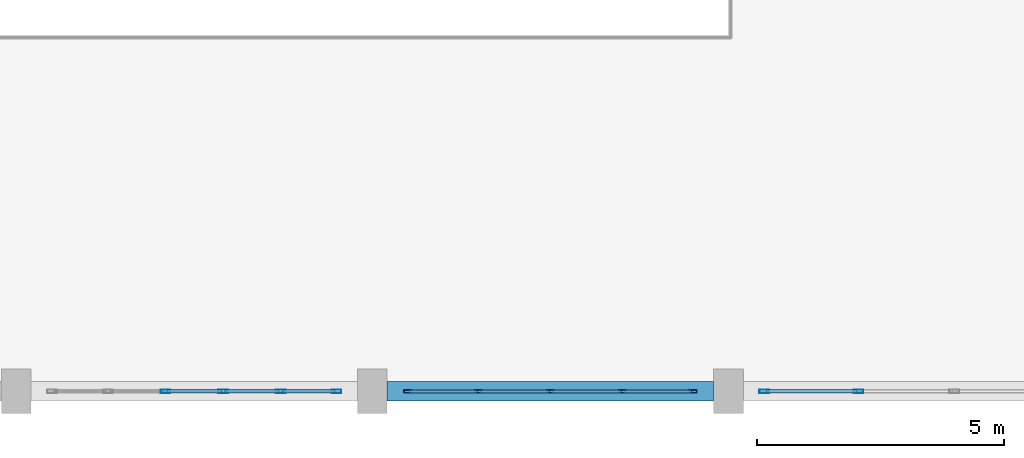
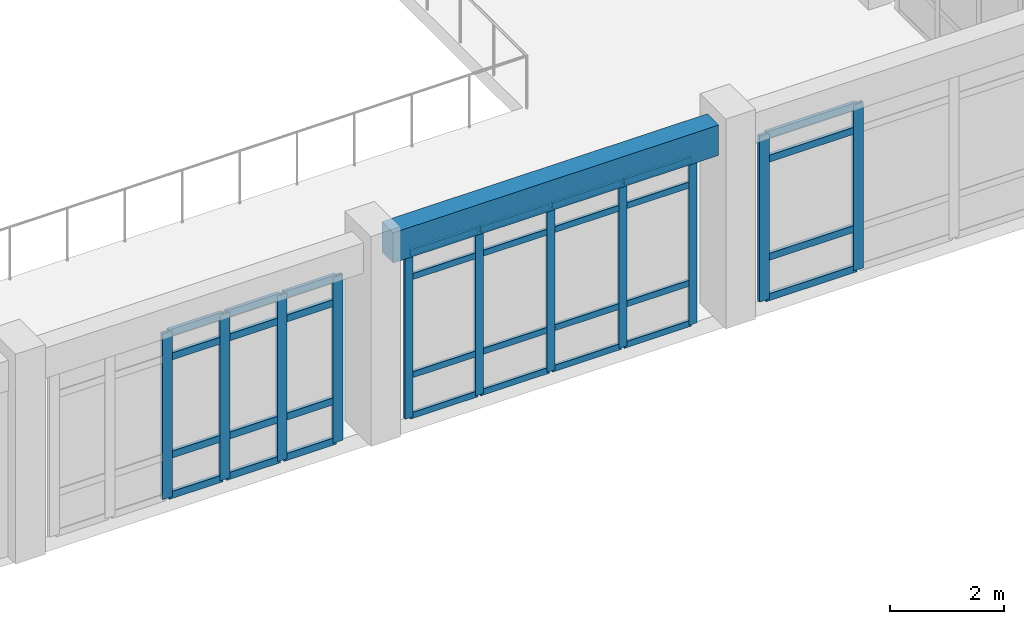
# One storey, part 14 of 106: 43 members, 1 beam, 3 elements without a shape of their own.
"""IFC4 building model written with IfcOpenShell, lengths in metres."""

from ifc_helpers import new_model, si_unit, direction, frame, origin, origin_2d, place, context, subcontext, project, spatial, rectangle, hollow_rectangle, extrude, material, layer, layer_set, material_profile, profile_set, type_object, element, aggregate, save


model = new_model("IFC4")

# Units and contexts
model_context = context("Model", 3, precision=1e-05, world=origin(), true_north=direction((0.0, 1.0)))
body_context = subcontext(model_context, "Body", "Model", "MODEL_VIEW")
ifc_project = project(units=[si_unit("LENGTHUNIT", "METRE"), si_unit("AREAUNIT", "SQUARE_METRE"), si_unit("VOLUMEUNIT", "CUBIC_METRE"), si_unit("PLANEANGLEUNIT", "RADIAN"), si_unit("MASSUNIT", "GRAM", prefix="KILO")], contexts=[model_context])

# Site, building, storey
site_placement = place(None, origin())
site = spatial("IfcSite", under=ifc_project, at=site_placement, CompositionType="ELEMENT")
building_placement = place(site_placement, origin())
building = spatial("IfcBuilding", under=site, at=building_placement, Name="Carrowvane Square Congress Hotel", CompositionType="ELEMENT")
storey_placement = place(building_placement, frame((0.0, 0.0, 10.5)))
storey = spatial("IfcBuildingStorey", under=building, at=storey_placement, Name="L02", CompositionType="ELEMENT", Elevation=10.5)

# Curtain wall, members
ifc_material_1 = material(Name="Anodised aluminium", Category="aluminium")
ifc_layer_1 = layer(ifc_material_1, 0.23388671875)
ifc_layer_set_1 = layer_set([ifc_layer_1], Name="Anodised aluminium")
curtain_wall_type_1 = type_object("IfcCurtainWallType", Name="CW-SYS-7", PredefinedType="NOTDEFINED", material=ifc_layer_set_1)
curtain_wall_1_placement = place(storey_placement, origin())
curtain_wall_1 = element("IfcCurtainWall", 1, at=curtain_wall_1_placement, inside=storey, type_object=curtain_wall_type_1, Name="L02 unitised curtain wall 190", PredefinedType="NOTDEFINED")
ifc_material_2 = material(Name="Anodised aluminium", Category="aluminium")
ifc_material_profile_1 = material_profile(ifc_material_2, hollow_rectangle(XDim=0.06005859375, YDim=0.159912109375, WallThickness=0.00390625, at=origin_2d()), Name="CW-ML 60x160x4")
ifc_profile_set_1 = profile_set([ifc_material_profile_1], Name="Anodised aluminium")
member_type_1 = type_object("IfcMemberType", Name="CW-MUL-1", PredefinedType="MULLION", material=ifc_profile_set_1)
member_1_placement = place(storey_placement, frame((54.080078125, 5.39990234375, 0.0), z_axis=(0.0, 0.0, 1.0), x_axis=(0.0, -1.0, 0.0)))
member_1 = element("IfcMember", 2, at=member_1_placement, type_object=member_type_1, Name="CW-7 mullion 1", PredefinedType="MULLION", context=body_context, shape_type="SweptSolid", body=[
    extrude(hollow_rectangle(XDim=0.06005859375, YDim=0.159912109375, WallThickness=0.00390625, at=origin_2d()), origin(), (0.0, 0.0, 1.0), 3.554931640625),
])
member_2_placement = place(storey_placement, frame((52.655029296875, 5.39990234375, 0.0), z_axis=(0.0, 0.0, 1.0), x_axis=(0.0, -1.0, 0.0)))
member_2 = element("IfcMember", 3, at=member_2_placement, type_object=member_type_1, Name="CW-7 mullion 2", PredefinedType="MULLION", context=body_context, shape_type="SweptSolid", body=[
    extrude(hollow_rectangle(XDim=0.06005859375, YDim=0.159912109375, WallThickness=0.00390625, at=origin_2d()), origin(), (0.0, 0.0, 1.0), 3.554931640625),
])
member_3_placement = place(storey_placement, frame((51.199951171875, 5.39990234375, 0.0), z_axis=(0.0, 0.0, 1.0), x_axis=(0.0, -1.0, 0.0)))
member_3 = element("IfcMember", 4, at=member_3_placement, type_object=member_type_1, Name="CW-7 mullion 3", PredefinedType="MULLION", context=body_context, shape_type="SweptSolid", body=[
    extrude(hollow_rectangle(XDim=0.06005859375, YDim=0.159912109375, WallThickness=0.00390625, at=origin_2d()), origin(), (0.0, 0.0, 1.0), 3.554931640625),
])
member_4_placement = place(storey_placement, frame((49.7451171875, 5.39990234375, 0.0), z_axis=(0.0, 0.0, 1.0), x_axis=(0.0, -1.0, 0.0)))
member_4 = element("IfcMember", 5, at=member_4_placement, type_object=member_type_1, Name="CW-7 mullion 4", PredefinedType="MULLION", context=body_context, shape_type="SweptSolid", body=[
    extrude(hollow_rectangle(XDim=0.06005859375, YDim=0.159912109375, WallThickness=0.00390625, at=origin_2d()), origin(), (0.0, 0.0, 1.0), 3.554931640625),
])
member_5_placement = place(storey_placement, frame((48.320068359375, 5.39990234375, 0.0), z_axis=(0.0, 0.0, 1.0), x_axis=(0.0, -1.0, 0.0)))
member_5 = element("IfcMember", 6, at=member_5_placement, type_object=member_type_1, Name="CW-7 mullion 5", PredefinedType="MULLION", context=body_context, shape_type="SweptSolid", body=[
    extrude(hollow_rectangle(XDim=0.06005859375, YDim=0.159912109375, WallThickness=0.00390625, at=origin_2d()), origin(), (0.0, 0.0, 1.0), 3.554931640625),
])

ifc_material_3 = material(Name="Anodised aluminium", Category="aluminium")
ifc_layer_2 = layer(ifc_material_3, 0.221923828125)
ifc_layer_set_2 = layer_set([ifc_layer_2], Name="Anodised aluminium")
curtain_wall_type_2 = type_object("IfcCurtainWallType", Name="CW-SYS-6", PredefinedType="NOTDEFINED", material=ifc_layer_set_2)
curtain_wall_2_placement = place(storey_placement, origin())
curtain_wall_2 = element("IfcCurtainWall", 7, at=curtain_wall_2_placement, inside=storey, type_object=curtain_wall_type_2, Name="L02 unitised curtain wall 189", PredefinedType="NOTDEFINED")
ifc_material_4 = material(Name="Anodised aluminium", Category="aluminium")
ifc_material_profile_2 = material_profile(ifc_material_4, hollow_rectangle(XDim=0.070068359375, YDim=0.199951171875, WallThickness=0.0048828125, at=origin_2d()), Name="CW-ML 70x200x5")
ifc_profile_set_2 = profile_set([ifc_material_profile_2], Name="Anodised aluminium")
member_type_2 = type_object("IfcMemberType", Name="CW-MUL-2", PredefinedType="MULLION", material=ifc_profile_set_2)
member_6_placement = place(storey_placement, frame((57.429931640625, 5.39990234375, 0.0), z_axis=(0.0, 0.0, 1.0), x_axis=(0.0, -1.0, 0.0)))
member_6 = element("IfcMember", 8, at=member_6_placement, type_object=member_type_2, Name="CW-6 mullion 3", PredefinedType="MULLION", context=body_context, shape_type="SweptSolid", body=[
    extrude(hollow_rectangle(XDim=0.070068359375, YDim=0.199951171875, WallThickness=0.0048828125, at=origin_2d()), origin(), (0.0, 0.0, 1.0), 3.554931640625),
])
member_7_placement = place(storey_placement, frame((55.52490234375, 5.39990234375, 0.0), z_axis=(0.0, 0.0, 1.0), x_axis=(0.0, -1.0, 0.0)))
member_7 = element("IfcMember", 9, at=member_7_placement, type_object=member_type_2, Name="CW-6 mullion 4", PredefinedType="MULLION", context=body_context, shape_type="SweptSolid", body=[
    extrude(hollow_rectangle(XDim=0.070068359375, YDim=0.199951171875, WallThickness=0.0048828125, at=origin_2d()), origin(), (0.0, 0.0, 1.0), 3.554931640625),
])

ifc_material_5 = material(Name="Anodised aluminium", Category="aluminium")
ifc_layer_3 = layer(ifc_material_5, 0.24609375)
ifc_layer_set_3 = layer_set([ifc_layer_3], Name="Anodised aluminium")
curtain_wall_type_3 = type_object("IfcCurtainWallType", Name="CW-SYS-8", PredefinedType="NOTDEFINED", material=ifc_layer_set_3)
curtain_wall_3_placement = place(storey_placement, origin())
curtain_wall_3 = element("IfcCurtainWall", 10, at=curtain_wall_3_placement, inside=storey, type_object=curtain_wall_type_3, Name="L02 unitised curtain wall 191", PredefinedType="NOTDEFINED")
member_8_placement = place(storey_placement, frame((46.875, 5.39990234375, 0.0), z_axis=(0.0, 0.0, 1.0), x_axis=(0.0, -1.0, 0.0)))
member_8 = element("IfcMember", 11, at=member_8_placement, type_object=member_type_2, Name="CW-8 mullion 1", PredefinedType="MULLION", context=body_context, shape_type="SweptSolid", body=[
    extrude(hollow_rectangle(XDim=0.070068359375, YDim=0.199951171875, WallThickness=0.0048828125, at=origin_2d()), origin(), (0.0, 0.0, 1.0), 3.554931640625),
])
member_9_placement = place(storey_placement, frame((45.74609375, 5.39990234375, 0.0), z_axis=(0.0, 0.0, 1.0), x_axis=(0.0, -1.0, 0.0)))
member_9 = element("IfcMember", 12, at=member_9_placement, type_object=member_type_2, Name="CW-8 mullion 2", PredefinedType="MULLION", context=body_context, shape_type="SweptSolid", body=[
    extrude(hollow_rectangle(XDim=0.070068359375, YDim=0.199951171875, WallThickness=0.0048828125, at=origin_2d()), origin(), (0.0, 0.0, 1.0), 3.554931640625),
])
member_10_placement = place(storey_placement, frame((44.58203125, 5.39990234375, 0.0), z_axis=(0.0, 0.0, 1.0), x_axis=(0.0, -1.0, 0.0)))
member_10 = element("IfcMember", 13, at=member_10_placement, type_object=member_type_2, Name="CW-8 mullion 3", PredefinedType="MULLION", context=body_context, shape_type="SweptSolid", body=[
    extrude(hollow_rectangle(XDim=0.070068359375, YDim=0.199951171875, WallThickness=0.0048828125, at=origin_2d()), origin(), (0.0, 0.0, 1.0), 3.554931640625),
])
member_11_placement = place(storey_placement, frame((43.41796875, 5.39990234375, 0.0), z_axis=(0.0, 0.0, 1.0), x_axis=(0.0, -1.0, 0.0)))
member_11 = element("IfcMember", 14, at=member_11_placement, type_object=member_type_2, Name="CW-8 mullion 4", PredefinedType="MULLION", context=body_context, shape_type="SweptSolid", body=[
    extrude(hollow_rectangle(XDim=0.070068359375, YDim=0.199951171875, WallThickness=0.0048828125, at=origin_2d()), origin(), (0.0, 0.0, 1.0), 3.554931640625),
])

# Member
ifc_material_6 = material(Name="Anodised aluminium", Category="aluminium")
ifc_material_profile_3 = material_profile(ifc_material_6, hollow_rectangle(XDim=0.06005859375, YDim=0.1298828125, WallThickness=0.00390625, at=origin_2d()), Name="CW-TR 60x130x4")
ifc_profile_set_3 = profile_set([ifc_material_profile_3], Name="Anodised aluminium")
member_type_3 = type_object("IfcMemberType", Name="CW-TRN-1", PredefinedType="USERDEFINED", material=ifc_profile_set_3)
member_12_placement = place(storey_placement, frame((54.050048828125, 5.39990234375, 0.030029296875), z_axis=(-1.0, 0.0, 0.0), x_axis=(0.0, -1.0, 0.0)))
member_12 = element("IfcMember", 15, at=member_12_placement, type_object=member_type_3, Name="CW-7 transom 1.1", ObjectType="TRANSOM", PredefinedType="USERDEFINED", context=body_context, shape_type="SweptSolid", body=[
    extrude(hollow_rectangle(XDim=0.06005859375, YDim=0.1298828125, WallThickness=0.00390625, at=origin_2d()), origin(), (0.0, 0.0, 1.0), 1.364990234375),
])

member_13_placement = place(storey_placement, frame((54.050048828125, 5.39990234375, 0.89990234375), z_axis=(-1.0, 0.0, 0.0), x_axis=(0.0, -1.0, 0.0)))
member_13 = element("IfcMember", 16, at=member_13_placement, type_object=member_type_3, Name="CW-7 transom 1.2", ObjectType="TRANSOM", PredefinedType="USERDEFINED", context=body_context, shape_type="SweptSolid", body=[
    extrude(hollow_rectangle(XDim=0.06005859375, YDim=0.1298828125, WallThickness=0.00390625, at=origin_2d()), origin(), (0.0, 0.0, 1.0), 1.364990234375),
])

member_14_placement = place(storey_placement, frame((54.050048828125, 5.39990234375, 3.0048828125), z_axis=(-1.0, 0.0, 0.0), x_axis=(0.0, -1.0, 0.0)))
member_14 = element("IfcMember", 17, at=member_14_placement, type_object=member_type_3, Name="CW-7 transom 1.3", ObjectType="TRANSOM", PredefinedType="USERDEFINED", context=body_context, shape_type="SweptSolid", body=[
    extrude(hollow_rectangle(XDim=0.06005859375, YDim=0.1298828125, WallThickness=0.00390625, at=origin_2d()), origin(), (0.0, 0.0, 1.0), 1.364990234375),
])

member_15_placement = place(storey_placement, frame((54.050048828125, 5.39990234375, 3.52490234375), z_axis=(-1.0, 0.0, 0.0), x_axis=(0.0, -1.0, 0.0)))
member_15 = element("IfcMember", 18, at=member_15_placement, type_object=member_type_3, Name="CW-7 transom 1.4", ObjectType="TRANSOM", PredefinedType="USERDEFINED", context=body_context, shape_type="SweptSolid", body=[
    extrude(hollow_rectangle(XDim=0.06005859375, YDim=0.1298828125, WallThickness=0.00390625, at=origin_2d()), origin(), (0.0, 0.0, 1.0), 1.364990234375),
])

member_16_placement = place(storey_placement, frame((52.625, 5.39990234375, 0.030029296875), z_axis=(-1.0, 0.0, 0.0), x_axis=(0.0, -1.0, 0.0)))
member_16 = element("IfcMember", 19, at=member_16_placement, type_object=member_type_3, Name="CW-7 transom 2.1", ObjectType="TRANSOM", PredefinedType="USERDEFINED", context=body_context, shape_type="SweptSolid", body=[
    extrude(hollow_rectangle(XDim=0.06005859375, YDim=0.1298828125, WallThickness=0.00390625, at=origin_2d()), origin(), (0.0, 0.0, 1.0), 1.39501953125),
])

member_17_placement = place(storey_placement, frame((52.625, 5.39990234375, 0.89990234375), z_axis=(-1.0, 0.0, 0.0), x_axis=(0.0, -1.0, 0.0)))
member_17 = element("IfcMember", 20, at=member_17_placement, type_object=member_type_3, Name="CW-7 transom 2.2", ObjectType="TRANSOM", PredefinedType="USERDEFINED", context=body_context, shape_type="SweptSolid", body=[
    extrude(hollow_rectangle(XDim=0.06005859375, YDim=0.1298828125, WallThickness=0.00390625, at=origin_2d()), origin(), (0.0, 0.0, 1.0), 1.39501953125),
])

member_18_placement = place(storey_placement, frame((52.625, 5.39990234375, 3.0048828125), z_axis=(-1.0, 0.0, 0.0), x_axis=(0.0, -1.0, 0.0)))
member_18 = element("IfcMember", 21, at=member_18_placement, type_object=member_type_3, Name="CW-7 transom 2.3", ObjectType="TRANSOM", PredefinedType="USERDEFINED", context=body_context, shape_type="SweptSolid", body=[
    extrude(hollow_rectangle(XDim=0.06005859375, YDim=0.1298828125, WallThickness=0.00390625, at=origin_2d()), origin(), (0.0, 0.0, 1.0), 1.39501953125),
])

member_19_placement = place(storey_placement, frame((52.625, 5.39990234375, 3.52490234375), z_axis=(-1.0, 0.0, 0.0), x_axis=(0.0, -1.0, 0.0)))
member_19 = element("IfcMember", 22, at=member_19_placement, type_object=member_type_3, Name="CW-7 transom 2.4", ObjectType="TRANSOM", PredefinedType="USERDEFINED", context=body_context, shape_type="SweptSolid", body=[
    extrude(hollow_rectangle(XDim=0.06005859375, YDim=0.1298828125, WallThickness=0.00390625, at=origin_2d()), origin(), (0.0, 0.0, 1.0), 1.39501953125),
])

member_20_placement = place(storey_placement, frame((51.169921875, 5.39990234375, 0.030029296875), z_axis=(-1.0, 0.0, 0.0), x_axis=(0.0, -1.0, 0.0)))
member_20 = element("IfcMember", 23, at=member_20_placement, type_object=member_type_3, Name="CW-7 transom 3.1", ObjectType="TRANSOM", PredefinedType="USERDEFINED", context=body_context, shape_type="SweptSolid", body=[
    extrude(hollow_rectangle(XDim=0.06005859375, YDim=0.1298828125, WallThickness=0.00390625, at=origin_2d()), origin(), (0.0, 0.0, 1.0), 1.39501953125),
])

member_21_placement = place(storey_placement, frame((51.169921875, 5.39990234375, 0.89990234375), z_axis=(-1.0, 0.0, 0.0), x_axis=(0.0, -1.0, 0.0)))
member_21 = element("IfcMember", 24, at=member_21_placement, type_object=member_type_3, Name="CW-7 transom 3.2", ObjectType="TRANSOM", PredefinedType="USERDEFINED", context=body_context, shape_type="SweptSolid", body=[
    extrude(hollow_rectangle(XDim=0.06005859375, YDim=0.1298828125, WallThickness=0.00390625, at=origin_2d()), origin(), (0.0, 0.0, 1.0), 1.39501953125),
])

member_22_placement = place(storey_placement, frame((51.169921875, 5.39990234375, 3.0048828125), z_axis=(-1.0, 0.0, 0.0), x_axis=(0.0, -1.0, 0.0)))
member_22 = element("IfcMember", 25, at=member_22_placement, type_object=member_type_3, Name="CW-7 transom 3.3", ObjectType="TRANSOM", PredefinedType="USERDEFINED", context=body_context, shape_type="SweptSolid", body=[
    extrude(hollow_rectangle(XDim=0.06005859375, YDim=0.1298828125, WallThickness=0.00390625, at=origin_2d()), origin(), (0.0, 0.0, 1.0), 1.39501953125),
])

member_23_placement = place(storey_placement, frame((51.169921875, 5.39990234375, 3.52490234375), z_axis=(-1.0, 0.0, 0.0), x_axis=(0.0, -1.0, 0.0)))
member_23 = element("IfcMember", 26, at=member_23_placement, type_object=member_type_3, Name="CW-7 transom 3.4", ObjectType="TRANSOM", PredefinedType="USERDEFINED", context=body_context, shape_type="SweptSolid", body=[
    extrude(hollow_rectangle(XDim=0.06005859375, YDim=0.1298828125, WallThickness=0.00390625, at=origin_2d()), origin(), (0.0, 0.0, 1.0), 1.39501953125),
])

member_24_placement = place(storey_placement, frame((49.715087890625, 5.39990234375, 0.030029296875), z_axis=(-1.0, 0.0, 0.0), x_axis=(0.0, -1.0, 0.0)))
member_24 = element("IfcMember", 27, at=member_24_placement, type_object=member_type_3, Name="CW-7 transom 4.1", ObjectType="TRANSOM", PredefinedType="USERDEFINED", context=body_context, shape_type="SweptSolid", body=[
    extrude(hollow_rectangle(XDim=0.06005859375, YDim=0.1298828125, WallThickness=0.00390625, at=origin_2d()), origin(), (0.0, 0.0, 1.0), 1.364990234375),
])

member_25_placement = place(storey_placement, frame((49.715087890625, 5.39990234375, 0.89990234375), z_axis=(-1.0, 0.0, 0.0), x_axis=(0.0, -1.0, 0.0)))
member_25 = element("IfcMember", 28, at=member_25_placement, type_object=member_type_3, Name="CW-7 transom 4.2", ObjectType="TRANSOM", PredefinedType="USERDEFINED", context=body_context, shape_type="SweptSolid", body=[
    extrude(hollow_rectangle(XDim=0.06005859375, YDim=0.1298828125, WallThickness=0.00390625, at=origin_2d()), origin(), (0.0, 0.0, 1.0), 1.364990234375),
])

member_26_placement = place(storey_placement, frame((49.715087890625, 5.39990234375, 3.0048828125), z_axis=(-1.0, 0.0, 0.0), x_axis=(0.0, -1.0, 0.0)))
member_26 = element("IfcMember", 29, at=member_26_placement, type_object=member_type_3, Name="CW-7 transom 4.3", ObjectType="TRANSOM", PredefinedType="USERDEFINED", context=body_context, shape_type="SweptSolid", body=[
    extrude(hollow_rectangle(XDim=0.06005859375, YDim=0.1298828125, WallThickness=0.00390625, at=origin_2d()), origin(), (0.0, 0.0, 1.0), 1.364990234375),
])

member_27_placement = place(storey_placement, frame((49.715087890625, 5.39990234375, 3.52490234375), z_axis=(-1.0, 0.0, 0.0), x_axis=(0.0, -1.0, 0.0)))
member_27 = element("IfcMember", 30, at=member_27_placement, type_object=member_type_3, Name="CW-7 transom 4.4", ObjectType="TRANSOM", PredefinedType="USERDEFINED", context=body_context, shape_type="SweptSolid", body=[
    extrude(hollow_rectangle(XDim=0.06005859375, YDim=0.1298828125, WallThickness=0.00390625, at=origin_2d()), origin(), (0.0, 0.0, 1.0), 1.364990234375),
])

aggregate(curtain_wall_1, [member_1, member_2, member_3, member_4, member_5, member_12, member_13, member_14, member_15, member_16, member_17, member_18, member_19, member_20, member_21, member_22, member_23, member_24, member_25, member_26, member_27])

ifc_material_7 = material(Name="Anodised aluminium", Category="aluminium")
ifc_material_profile_4 = material_profile(ifc_material_7, hollow_rectangle(XDim=0.070068359375, YDim=0.14990234375, WallThickness=0.0048828125, at=origin_2d()), Name="CW-TR 70x150x5")
ifc_profile_set_4 = profile_set([ifc_material_profile_4], Name="Anodised aluminium")
member_type_4 = type_object("IfcMemberType", Name="CW-TRN-2", PredefinedType="USERDEFINED", material=ifc_profile_set_4)
member_28_placement = place(storey_placement, frame((57.39501953125, 5.39990234375, 0.034912109375), z_axis=(-1.0, 0.0, 0.0), x_axis=(0.0, -1.0, 0.0)))
member_28 = element("IfcMember", 31, at=member_28_placement, type_object=member_type_4, Name="CW-6 transom 3.1", ObjectType="TRANSOM", PredefinedType="USERDEFINED", context=body_context, shape_type="SweptSolid", body=[
    extrude(hollow_rectangle(XDim=0.070068359375, YDim=0.14990234375, WallThickness=0.0048828125, at=origin_2d()), origin(), (0.0, 0.0, 1.0), 1.8349609375),
])

member_29_placement = place(storey_placement, frame((57.39501953125, 5.39990234375, 0.89990234375), z_axis=(-1.0, 0.0, 0.0), x_axis=(0.0, -1.0, 0.0)))
member_29 = element("IfcMember", 32, at=member_29_placement, type_object=member_type_4, Name="CW-6 transom 3.2", ObjectType="TRANSOM", PredefinedType="USERDEFINED", context=body_context, shape_type="SweptSolid", body=[
    extrude(hollow_rectangle(XDim=0.070068359375, YDim=0.14990234375, WallThickness=0.0048828125, at=origin_2d()), origin(), (0.0, 0.0, 1.0), 1.8349609375),
])

member_30_placement = place(storey_placement, frame((57.39501953125, 5.39990234375, 3.0048828125), z_axis=(-1.0, 0.0, 0.0), x_axis=(0.0, -1.0, 0.0)))
member_30 = element("IfcMember", 33, at=member_30_placement, type_object=member_type_4, Name="CW-6 transom 3.3", ObjectType="TRANSOM", PredefinedType="USERDEFINED", context=body_context, shape_type="SweptSolid", body=[
    extrude(hollow_rectangle(XDim=0.070068359375, YDim=0.14990234375, WallThickness=0.0048828125, at=origin_2d()), origin(), (0.0, 0.0, 1.0), 1.8349609375),
])

member_31_placement = place(storey_placement, frame((57.39501953125, 5.39990234375, 3.52001953125), z_axis=(-1.0, 0.0, 0.0), x_axis=(0.0, -1.0, 0.0)))
member_31 = element("IfcMember", 34, at=member_31_placement, type_object=member_type_4, Name="CW-6 transom 3.4", ObjectType="TRANSOM", PredefinedType="USERDEFINED", context=body_context, shape_type="SweptSolid", body=[
    extrude(hollow_rectangle(XDim=0.070068359375, YDim=0.14990234375, WallThickness=0.0048828125, at=origin_2d()), origin(), (0.0, 0.0, 1.0), 1.8349609375),
])

aggregate(curtain_wall_2, [member_6, member_7, member_28, member_29, member_30, member_31])

member_32_placement = place(storey_placement, frame((46.840087890625, 5.39990234375, 0.034912109375), z_axis=(-1.0, 0.0, 0.0), x_axis=(0.0, -1.0, 0.0)))
member_32 = element("IfcMember", 35, at=member_32_placement, type_object=member_type_4, Name="CW-8 transom 1.1", ObjectType="TRANSOM", PredefinedType="USERDEFINED", context=body_context, shape_type="SweptSolid", body=[
    extrude(hollow_rectangle(XDim=0.070068359375, YDim=0.14990234375, WallThickness=0.0048828125, at=origin_2d()), origin(), (0.0, 0.0, 1.0), 1.05908203125),
])

member_33_placement = place(storey_placement, frame((46.840087890625, 5.39990234375, 0.89990234375), z_axis=(-1.0, 0.0, 0.0), x_axis=(0.0, -1.0, 0.0)))
member_33 = element("IfcMember", 36, at=member_33_placement, type_object=member_type_4, Name="CW-8 transom 1.2", ObjectType="TRANSOM", PredefinedType="USERDEFINED", context=body_context, shape_type="SweptSolid", body=[
    extrude(hollow_rectangle(XDim=0.070068359375, YDim=0.14990234375, WallThickness=0.0048828125, at=origin_2d()), origin(), (0.0, 0.0, 1.0), 1.05908203125),
])

member_34_placement = place(storey_placement, frame((46.840087890625, 5.39990234375, 3.0048828125), z_axis=(-1.0, 0.0, 0.0), x_axis=(0.0, -1.0, 0.0)))
member_34 = element("IfcMember", 37, at=member_34_placement, type_object=member_type_4, Name="CW-8 transom 1.3", ObjectType="TRANSOM", PredefinedType="USERDEFINED", context=body_context, shape_type="SweptSolid", body=[
    extrude(hollow_rectangle(XDim=0.070068359375, YDim=0.14990234375, WallThickness=0.0048828125, at=origin_2d()), origin(), (0.0, 0.0, 1.0), 1.05908203125),
])

member_35_placement = place(storey_placement, frame((46.840087890625, 5.39990234375, 3.52001953125), z_axis=(-1.0, 0.0, 0.0), x_axis=(0.0, -1.0, 0.0)))
member_35 = element("IfcMember", 38, at=member_35_placement, type_object=member_type_4, Name="CW-8 transom 1.4", ObjectType="TRANSOM", PredefinedType="USERDEFINED", context=body_context, shape_type="SweptSolid", body=[
    extrude(hollow_rectangle(XDim=0.070068359375, YDim=0.14990234375, WallThickness=0.0048828125, at=origin_2d()), origin(), (0.0, 0.0, 1.0), 1.05908203125),
])

member_36_placement = place(storey_placement, frame((45.7109375, 5.39990234375, 0.034912109375), z_axis=(-1.0, 0.0, 0.0), x_axis=(0.0, -1.0, 0.0)))
member_36 = element("IfcMember", 39, at=member_36_placement, type_object=member_type_4, Name="CW-8 transom 2.1", ObjectType="TRANSOM", PredefinedType="USERDEFINED", context=body_context, shape_type="SweptSolid", body=[
    extrude(hollow_rectangle(XDim=0.070068359375, YDim=0.14990234375, WallThickness=0.0048828125, at=origin_2d()), origin(), (0.0, 0.0, 1.0), 1.093994140625),
])

member_37_placement = place(storey_placement, frame((45.7109375, 5.39990234375, 0.89990234375), z_axis=(-1.0, 0.0, 0.0), x_axis=(0.0, -1.0, 0.0)))
member_37 = element("IfcMember", 40, at=member_37_placement, type_object=member_type_4, Name="CW-8 transom 2.2", ObjectType="TRANSOM", PredefinedType="USERDEFINED", context=body_context, shape_type="SweptSolid", body=[
    extrude(hollow_rectangle(XDim=0.070068359375, YDim=0.14990234375, WallThickness=0.0048828125, at=origin_2d()), origin(), (0.0, 0.0, 1.0), 1.093994140625),
])

member_38_placement = place(storey_placement, frame((45.7109375, 5.39990234375, 3.0048828125), z_axis=(-1.0, 0.0, 0.0), x_axis=(0.0, -1.0, 0.0)))
member_38 = element("IfcMember", 41, at=member_38_placement, type_object=member_type_4, Name="CW-8 transom 2.3", ObjectType="TRANSOM", PredefinedType="USERDEFINED", context=body_context, shape_type="SweptSolid", body=[
    extrude(hollow_rectangle(XDim=0.070068359375, YDim=0.14990234375, WallThickness=0.0048828125, at=origin_2d()), origin(), (0.0, 0.0, 1.0), 1.093994140625),
])

member_39_placement = place(storey_placement, frame((45.7109375, 5.39990234375, 3.52001953125), z_axis=(-1.0, 0.0, 0.0), x_axis=(0.0, -1.0, 0.0)))
member_39 = element("IfcMember", 42, at=member_39_placement, type_object=member_type_4, Name="CW-8 transom 2.4", ObjectType="TRANSOM", PredefinedType="USERDEFINED", context=body_context, shape_type="SweptSolid", body=[
    extrude(hollow_rectangle(XDim=0.070068359375, YDim=0.14990234375, WallThickness=0.0048828125, at=origin_2d()), origin(), (0.0, 0.0, 1.0), 1.093994140625),
])

member_40_placement = place(storey_placement, frame((44.547119140625, 5.39990234375, 0.034912109375), z_axis=(-1.0, 0.0, 0.0), x_axis=(0.0, -1.0, 0.0)))
member_40 = element("IfcMember", 43, at=member_40_placement, type_object=member_type_4, Name="CW-8 transom 3.1", ObjectType="TRANSOM", PredefinedType="USERDEFINED", context=body_context, shape_type="SweptSolid", body=[
    extrude(hollow_rectangle(XDim=0.070068359375, YDim=0.14990234375, WallThickness=0.0048828125, at=origin_2d()), origin(), (0.0, 0.0, 1.0), 1.09423828125),
])

member_41_placement = place(storey_placement, frame((44.547119140625, 5.39990234375, 0.89990234375), z_axis=(-1.0, 0.0, 0.0), x_axis=(0.0, -1.0, 0.0)))
member_41 = element("IfcMember", 44, at=member_41_placement, type_object=member_type_4, Name="CW-8 transom 3.2", ObjectType="TRANSOM", PredefinedType="USERDEFINED", context=body_context, shape_type="SweptSolid", body=[
    extrude(hollow_rectangle(XDim=0.070068359375, YDim=0.14990234375, WallThickness=0.0048828125, at=origin_2d()), origin(), (0.0, 0.0, 1.0), 1.09423828125),
])

member_42_placement = place(storey_placement, frame((44.547119140625, 5.39990234375, 3.0048828125), z_axis=(-1.0, 0.0, 0.0), x_axis=(0.0, -1.0, 0.0)))
member_42 = element("IfcMember", 45, at=member_42_placement, type_object=member_type_4, Name="CW-8 transom 3.3", ObjectType="TRANSOM", PredefinedType="USERDEFINED", context=body_context, shape_type="SweptSolid", body=[
    extrude(hollow_rectangle(XDim=0.070068359375, YDim=0.14990234375, WallThickness=0.0048828125, at=origin_2d()), origin(), (0.0, 0.0, 1.0), 1.09423828125),
])

member_43_placement = place(storey_placement, frame((44.547119140625, 5.39990234375, 3.52001953125), z_axis=(-1.0, 0.0, 0.0), x_axis=(0.0, -1.0, 0.0)))
member_43 = element("IfcMember", 46, at=member_43_placement, type_object=member_type_4, Name="CW-8 transom 3.4", ObjectType="TRANSOM", PredefinedType="USERDEFINED", context=body_context, shape_type="SweptSolid", body=[
    extrude(hollow_rectangle(XDim=0.070068359375, YDim=0.14990234375, WallThickness=0.0048828125, at=origin_2d()), origin(), (0.0, 0.0, 1.0), 1.09423828125),
])

aggregate(curtain_wall_3, [member_8, member_9, member_10, member_11, member_32, member_33, member_34, member_35, member_36, member_37, member_38, member_39, member_40, member_41, member_42, member_43])

# Beam
ifc_material_8 = material(Name="Concrete C35/45", Category="concrete")
ifc_material_profile_5 = material_profile(ifc_material_8, rectangle(XDim=0.39990234375, YDim=0.64990234375, at=origin_2d()), Name="RC 400x650")
ifc_profile_set_5 = profile_set([ifc_material_profile_5], Name="Concrete C35/45")
beam_type = type_object("IfcBeamType", Name="SP-RC-400x650", PredefinedType="SPANDREL", material=ifc_profile_set_5)
beam_placement = place(storey_placement, frame((47.89990234375, 5.39990234375, 3.89501953125), z_axis=(1.0, 0.0, 0.0), x_axis=(0.0, 1.0, 0.0)))
element("IfcBeam", 47, at=beam_placement, inside=storey, type_object=beam_type, Name="L03 girder A/6-7", PredefinedType="SPANDREL", context=body_context, shape_type="SweptSolid", body=[
    extrude(rectangle(XDim=0.39990234375, YDim=0.64990234375, at=origin_2d()), origin(), (0.0, 0.0, 1.0), 6.60009765625),
])

save(model, "model.ifc")
